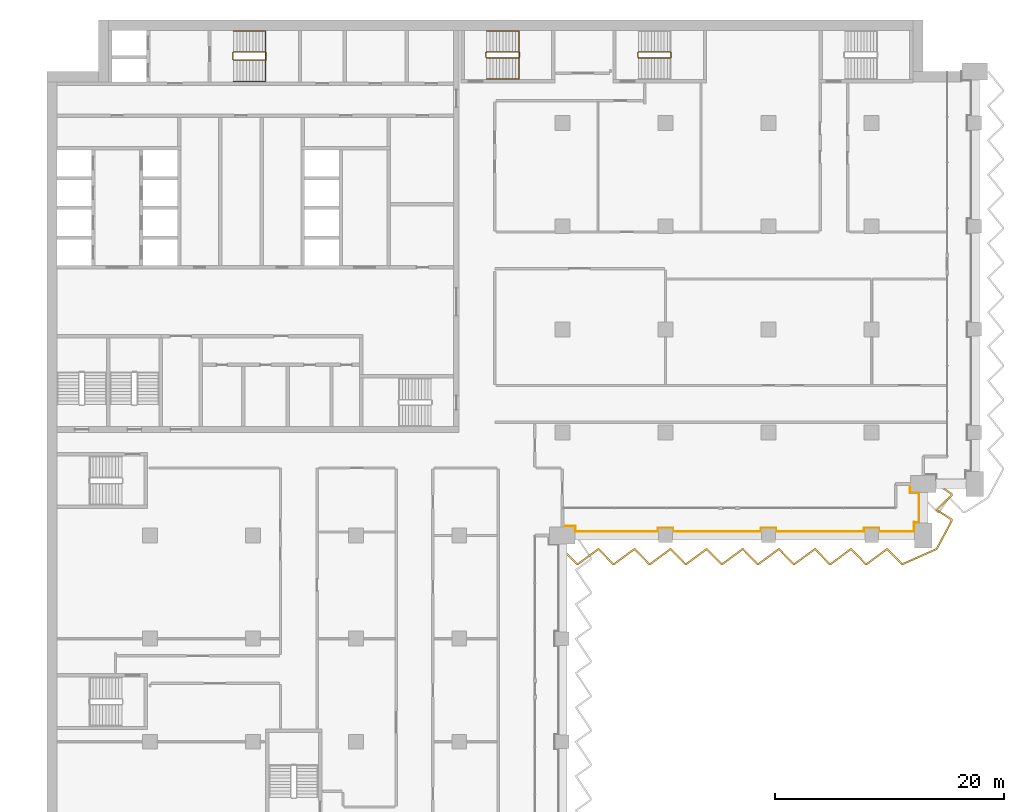
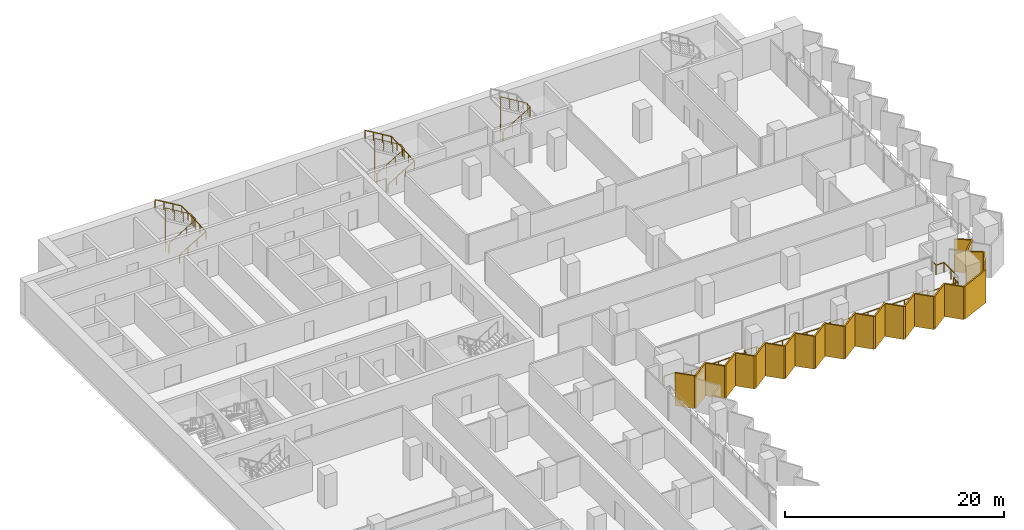
# One storey, part 22 of 23: 6 railings, 1 shading device.
"""IFC4 building model written with IfcOpenShell, lengths in metres."""

from ifc_helpers import new_model, si_unit, direction, frame, origin, origin_2d, place, context, subcontext, project, spatial, polyline, circle, outline, extrude, material, layer, layer_set, type_object, element, save


model = new_model("IFC4")

# Units and contexts
model_context = context("Model", 3, precision=1e-05, world=origin(), true_north=direction((0.0, 1.0)))
body_context = subcontext(model_context, "Body", "Model", "MODEL_VIEW")
ifc_project = project(units=[si_unit("LENGTHUNIT", "METRE"), si_unit("AREAUNIT", "SQUARE_METRE"), si_unit("VOLUMEUNIT", "CUBIC_METRE"), si_unit("PLANEANGLEUNIT", "RADIAN"), si_unit("MASSUNIT", "GRAM", prefix="KILO")], contexts=[model_context])

# Site, building, storey
site_placement = place(None, origin())
site = spatial("IfcSite", under=ifc_project, at=site_placement, CompositionType="ELEMENT")
building_placement = place(site_placement, origin())
building = spatial("IfcBuilding", under=site, at=building_placement, Name="Hunhe Ridgeline Campus", CompositionType="ELEMENT")
storey_placement = place(building_placement, frame((0.0, 0.0, 121.800048828125)))
storey = spatial("IfcBuildingStorey", under=building, at=storey_placement, Name="L30", CompositionType="ELEMENT", Elevation=121.800048828125)

# Railing
ifc_material_1 = material(Name="Steel Q355", Category="steel")
railing_type_1 = type_object("IfcRailingType", Name="Loggia guard 1100 Steel Q355", PredefinedType="GUARDRAIL", material=ifc_material_1)
railing_1_placement = place(storey_placement, frame((45.0, 54.820068359375, 0.0)))
element("IfcRailing", 1, at=railing_1_placement, inside=storey, type_object=railing_type_1, Name="Loggia guard 2", PredefinedType="GUARDRAIL", context=body_context, shape_type="SweptSolid", body=[
    extrude(circle(Radius=0.02392578125, at=origin_2d()), frame((0.0, 0.0, 1.076171875), z_axis=(1.0, 0.0, 0.0), x_axis=(0.0, 1.0, 0.0)), (0.0, 0.0, 1.0), 1.14990234375),
    extrude(circle(Radius=0.02392578125, at=origin_2d()), frame((1.14990234375, 0.0, 1.076171875), z_axis=(0.0, -1.0, 0.0), x_axis=(1.0, 0.0, 0.0)), (0.0, 0.0, 1.0), 0.469970703125),
    extrude(circle(Radius=0.02392578125, at=origin_2d()), frame((1.14990234375, -0.469970703125, 1.076171875), z_axis=(1.0, 0.0, 0.0), x_axis=(0.0, 1.0, 0.0)), (0.0, 0.0, 1.0), 7.2001953125),
    extrude(circle(Radius=0.02392578125, at=origin_2d()), frame((8.35009765625, -0.469970703125, 1.076171875), z_axis=(0.0, 1.0, 0.0), x_axis=(-1.0, 0.0, 0.0)), (0.0, 0.0, 1.0), 0.31982421875),
    extrude(circle(Radius=0.02392578125, at=origin_2d()), frame((8.35009765625, -0.150146484375, 1.076171875), z_axis=(1.0, 0.0, 0.0), x_axis=(0.0, 1.0, 0.0)), (0.0, 0.0, 1.0), 1.2998046875),
    extrude(circle(Radius=0.02392578125, at=origin_2d()), frame((9.64990234375, -0.150146484375, 1.076171875), z_axis=(0.0, -1.0, 0.0), x_axis=(1.0, 0.0, 0.0)), (0.0, 0.0, 1.0), 0.31982421875),
    extrude(circle(Radius=0.02392578125, at=origin_2d()), frame((9.64990234375, -0.469970703125, 1.076171875), z_axis=(1.0, 0.0, 0.0), x_axis=(0.0, 1.0, 0.0)), (0.0, 0.0, 1.0), 7.7001953125),
    extrude(circle(Radius=0.02392578125, at=origin_2d()), frame((17.35009765625, -0.469970703125, 1.076171875), z_axis=(0.0, 1.0, 0.0), x_axis=(-1.0, 0.0, 0.0)), (0.0, 0.0, 1.0), 0.31982421875),
    extrude(circle(Radius=0.02392578125, at=origin_2d()), frame((17.35009765625, -0.150146484375, 1.076171875), z_axis=(1.0, 0.0, 0.0), x_axis=(0.0, 1.0, 0.0)), (0.0, 0.0, 1.0), 1.2998046875),
    extrude(circle(Radius=0.02392578125, at=origin_2d()), frame((18.64990234375, -0.150146484375, 1.076171875), z_axis=(0.0, -1.0, 0.0), x_axis=(1.0, 0.0, 0.0)), (0.0, 0.0, 1.0), 0.31982421875),
    extrude(circle(Radius=0.02392578125, at=origin_2d()), frame((18.64990234375, -0.469970703125, 1.076171875), z_axis=(1.0, 0.0, 0.0), x_axis=(0.0, 1.0, 0.0)), (0.0, 0.0, 1.0), 7.7001953125),
    extrude(circle(Radius=0.02392578125, at=origin_2d()), frame((26.35009765625, -0.469970703125, 1.076171875), z_axis=(0.0, 1.0, 0.0), x_axis=(-1.0, 0.0, 0.0)), (0.0, 0.0, 1.0), 0.31982421875),
    extrude(circle(Radius=0.02392578125, at=origin_2d()), frame((26.35009765625, -0.150146484375, 1.076171875), z_axis=(1.0, 0.0, 0.0), x_axis=(0.0, 1.0, 0.0)), (0.0, 0.0, 1.0), 1.2998046875),
    extrude(circle(Radius=0.02392578125, at=origin_2d()), frame((27.64990234375, -0.150146484375, 1.076171875), z_axis=(0.0, -1.0, 0.0), x_axis=(1.0, 0.0, 0.0)), (0.0, 0.0, 1.0), 0.31982421875),
    extrude(circle(Radius=0.02392578125, at=origin_2d()), frame((27.64990234375, -0.469970703125, 1.076171875), z_axis=(1.0, 0.0, 0.0), x_axis=(0.0, 1.0, 0.0)), (0.0, 0.0, 1.0), 3.050048828125),
    extrude(circle(Radius=0.02392578125, at=origin_2d()), frame((30.699951171875, -0.469970703125, 1.076171875), z_axis=(0.0, 1.0, 0.0), x_axis=(-1.0, 0.0, 0.0)), (0.0, 0.0, 1.0), 0.81982421875),
    extrude(circle(Radius=0.02392578125, at=origin_2d()), frame((30.699951171875, 0.349853515625, 1.076171875), z_axis=(-0.057129153726, -0.99836679622, 0.0), x_axis=(0.99836679622, -0.057129153726, 0.0)), (0.0, 0.0, 1.0), 0.350341796875),
    extrude(circle(Radius=0.02392578125, at=origin_2d()), frame((30.679931640625, 0.0, 1.076171875), z_axis=(0.0, 1.0, 0.0), x_axis=(-1.0, 0.0, 0.0)), (0.0, 0.0, 1.0), 0.329833984375),
    extrude(circle(Radius=0.02392578125, at=origin_2d()), frame((30.679931640625, 0.329833984375, 1.076171875), z_axis=(1.0, 0.0, 0.0), x_axis=(0.0, 1.0, 0.0)), (0.0, 0.0, 1.0), 0.469970703125),
    extrude(circle(Radius=0.02392578125, at=origin_2d()), frame((31.14990234375, 0.329833984375, 1.076171875), z_axis=(0.0, 1.0, 0.0), x_axis=(-1.0, 0.0, 0.0)), (0.0, 0.0, 1.0), 2.550048828125),
    extrude(circle(Radius=0.02392578125, at=origin_2d()), frame((31.14990234375, 2.8798828125, 1.076171875), z_axis=(-1.0, 0.0, 0.0), x_axis=(0.0, -1.0, 0.0)), (0.0, 0.0, 1.0), 0.81982421875),
    extrude(circle(Radius=0.02392578125, at=origin_2d()), frame((30.330078125, 2.8798828125, 1.076171875), z_axis=(0.0, 1.0, 0.0), x_axis=(-1.0, 0.0, 0.0)), (0.0, 0.0, 1.0), 0.800048828125),
    extrude(circle(Radius=0.02099609375, at=origin_2d()), origin(), (0.0, 0.0, 1.0), 1.052001953125),
    extrude(circle(Radius=0.02099609375, at=origin_2d()), frame((1.14990234375, 0.0, 0.0)), (0.0, 0.0, 1.0), 1.052001953125),
    extrude(circle(Radius=0.02099609375, at=origin_2d()), frame((1.14990234375, -0.469970703125, 0.0)), (0.0, 0.0, 1.0), 1.052001953125),
    extrude(circle(Radius=0.02099609375, at=origin_2d()), frame((2.58984375, -0.469970703125, 0.0)), (0.0, 0.0, 1.0), 1.052001953125),
    extrude(circle(Radius=0.02099609375, at=origin_2d()), frame((4.030029296875, -0.469970703125, 0.0)), (0.0, 0.0, 1.0), 1.052001953125),
    extrude(circle(Radius=0.02099609375, at=origin_2d()), frame((5.469970703125, -0.469970703125, 0.0)), (0.0, 0.0, 1.0), 1.052001953125),
    extrude(circle(Radius=0.02099609375, at=origin_2d()), frame((6.91015625, -0.469970703125, 0.0)), (0.0, 0.0, 1.0), 1.052001953125),
    extrude(circle(Radius=0.02099609375, at=origin_2d()), frame((8.35009765625, -0.469970703125, 0.0)), (0.0, 0.0, 1.0), 1.052001953125),
    extrude(circle(Radius=0.02099609375, at=origin_2d()), frame((8.35009765625, -0.150146484375, 0.0)), (0.0, 0.0, 1.0), 1.052001953125),
    extrude(circle(Radius=0.02099609375, at=origin_2d()), frame((9.64990234375, -0.150146484375, 0.0)), (0.0, 0.0, 1.0), 1.052001953125),
    extrude(circle(Radius=0.02099609375, at=origin_2d()), frame((9.64990234375, -0.469970703125, 0.0)), (0.0, 0.0, 1.0), 1.052001953125),
    extrude(circle(Radius=0.02099609375, at=origin_2d()), frame((10.933349609375, -0.469970703125, 0.0)), (0.0, 0.0, 1.0), 1.052001953125),
    extrude(circle(Radius=0.02099609375, at=origin_2d()), frame((12.216552734375, -0.469970703125, 0.0)), (0.0, 0.0, 1.0), 1.052001953125),
    extrude(circle(Radius=0.02099609375, at=origin_2d()), frame((13.5, -0.469970703125, 0.0)), (0.0, 0.0, 1.0), 1.052001953125),
    extrude(circle(Radius=0.02099609375, at=origin_2d()), frame((14.783447265625, -0.469970703125, 0.0)), (0.0, 0.0, 1.0), 1.052001953125),
    extrude(circle(Radius=0.02099609375, at=origin_2d()), frame((16.066650390625, -0.469970703125, 0.0)), (0.0, 0.0, 1.0), 1.052001953125),
    extrude(circle(Radius=0.02099609375, at=origin_2d()), frame((17.35009765625, -0.469970703125, 0.0)), (0.0, 0.0, 1.0), 1.052001953125),
    extrude(circle(Radius=0.02099609375, at=origin_2d()), frame((17.35009765625, -0.150146484375, 0.0)), (0.0, 0.0, 1.0), 1.052001953125),
    extrude(circle(Radius=0.02099609375, at=origin_2d()), frame((18.64990234375, -0.150146484375, 0.0)), (0.0, 0.0, 1.0), 1.052001953125),
    extrude(circle(Radius=0.02099609375, at=origin_2d()), frame((18.64990234375, -0.469970703125, 0.0)), (0.0, 0.0, 1.0), 1.052001953125),
    extrude(circle(Radius=0.02099609375, at=origin_2d()), frame((19.933349609375, -0.469970703125, 0.0)), (0.0, 0.0, 1.0), 1.052001953125),
    extrude(circle(Radius=0.02099609375, at=origin_2d()), frame((21.216552734375, -0.469970703125, 0.0)), (0.0, 0.0, 1.0), 1.052001953125),
    extrude(circle(Radius=0.02099609375, at=origin_2d()), frame((22.5, -0.469970703125, 0.0)), (0.0, 0.0, 1.0), 1.052001953125),
    extrude(circle(Radius=0.02099609375, at=origin_2d()), frame((23.783447265625, -0.469970703125, 0.0)), (0.0, 0.0, 1.0), 1.052001953125),
    extrude(circle(Radius=0.02099609375, at=origin_2d()), frame((25.066650390625, -0.469970703125, 0.0)), (0.0, 0.0, 1.0), 1.052001953125),
    extrude(circle(Radius=0.02099609375, at=origin_2d()), frame((26.35009765625, -0.469970703125, 0.0)), (0.0, 0.0, 1.0), 1.052001953125),
    extrude(circle(Radius=0.02099609375, at=origin_2d()), frame((26.35009765625, -0.150146484375, 0.0)), (0.0, 0.0, 1.0), 1.052001953125),
    extrude(circle(Radius=0.02099609375, at=origin_2d()), frame((27.64990234375, -0.150146484375, 0.0)), (0.0, 0.0, 1.0), 1.052001953125),
    extrude(circle(Radius=0.02099609375, at=origin_2d()), frame((27.64990234375, -0.469970703125, 0.0)), (0.0, 0.0, 1.0), 1.052001953125),
    extrude(circle(Radius=0.02099609375, at=origin_2d()), frame((28.66650390625, -0.469970703125, 0.0)), (0.0, 0.0, 1.0), 1.052001953125),
    extrude(circle(Radius=0.02099609375, at=origin_2d()), frame((29.683349609375, -0.469970703125, 0.0)), (0.0, 0.0, 1.0), 1.052001953125),
    extrude(circle(Radius=0.02099609375, at=origin_2d()), frame((30.699951171875, -0.469970703125, 0.0)), (0.0, 0.0, 1.0), 1.052001953125),
    extrude(circle(Radius=0.02099609375, at=origin_2d()), frame((30.699951171875, 0.349853515625, 0.0)), (0.0, 0.0, 1.0), 1.052001953125),
    extrude(circle(Radius=0.02099609375, at=origin_2d()), frame((30.679931640625, 0.0, 0.0)), (0.0, 0.0, 1.0), 1.052001953125),
    extrude(circle(Radius=0.02099609375, at=origin_2d()), frame((30.679931640625, 0.329833984375, 0.0)), (0.0, 0.0, 1.0), 1.052001953125),
    extrude(circle(Radius=0.02099609375, at=origin_2d()), frame((31.14990234375, 0.329833984375, 0.0)), (0.0, 0.0, 1.0), 1.052001953125),
    extrude(circle(Radius=0.02099609375, at=origin_2d()), frame((31.14990234375, 1.60498046875, 0.0)), (0.0, 0.0, 1.0), 1.052001953125),
    extrude(circle(Radius=0.02099609375, at=origin_2d()), frame((31.14990234375, 2.8798828125, 0.0)), (0.0, 0.0, 1.0), 1.052001953125),
    extrude(circle(Radius=0.02099609375, at=origin_2d()), frame((30.330078125, 2.8798828125, 0.0)), (0.0, 0.0, 1.0), 1.052001953125),
    extrude(circle(Radius=0.02099609375, at=origin_2d()), frame((30.330078125, 3.679931640625, 0.0)), (0.0, 0.0, 1.0), 1.052001953125),
])

# Shading device
ifc_material_2 = material(Name="Concrete C50", Category="concrete")
ifc_layer = layer(ifc_material_2, 0.14990234375)
ifc_layer_set = layer_set([ifc_layer], Name="Sawtooth concrete fin 150 Concrete C50")
shading_device_type = type_object("IfcShadingDeviceType", Name="Sawtooth concrete fin 150 Concrete C50", PredefinedType="USERDEFINED", material=ifc_layer_set)
shading_device_placement = place(storey_placement, frame((0.0, 0.0, -0.949951171875)))
element("IfcShadingDevice", 2, at=shading_device_placement, inside=storey, type_object=shading_device_type, Name="Concrete fin screen 2", ObjectType="FIN", PredefinedType="USERDEFINED", context=body_context, shape_type="SweptSolid", body=[
    extrude(outline(polyline([(45.0537109375, 52.87744140625), (44.9462890625, 52.772705078125), (46.23583984375, 51.449951171875), (46.412109375, 51.449951171875), (48.141845703125, 52.725830078125), (49.385986328125, 51.449951171875), (49.562255859375, 51.449951171875), (51.2919921875, 52.725830078125), (52.535888671875, 51.449951171875), (52.712158203125, 51.449951171875), (54.44189453125, 52.725830078125), (55.685791015625, 51.449951171875), (55.862060546875, 51.449951171875), (57.592041015625, 52.725830078125), (58.8359375, 51.449951171875), (59.01220703125, 51.449951171875), (60.741943359375, 52.725830078125), (61.98583984375, 51.449951171875), (62.162109375, 51.449951171875), (63.891845703125, 52.725830078125), (65.135986328125, 51.449951171875), (65.312255859375, 51.449951171875), (67.0419921875, 52.725830078125), (68.285888671875, 51.449951171875), (68.462158203125, 51.449951171875), (70.19189453125, 52.725830078125), (71.435791015625, 51.449951171875), (71.612060546875, 51.449951171875), (73.342041015625, 52.725830078125), (74.5859375, 51.449951171875), (74.75341796875, 51.449951171875), (77.72900390625, 52.766845703125), (79.050048828125, 55.248779296875), (79.050048828125, 55.427734375), (77.7939453125, 56.26123046875), (79.050048828125, 57.48583984375), (79.050048828125, 57.677734375), (77.716552734375, 58.5625), (77.633544921875, 58.4375), (78.89990234375, 57.59716796875), (78.89990234375, 57.549072265625), (77.55615234375, 56.23876953125), (78.89990234375, 55.34716796875), (78.89990234375, 55.2861328125), (77.620849609375, 52.883056640625), (74.7216796875, 51.60009765625), (74.649169921875, 51.60009765625), (73.358154296875, 52.924072265625), (71.562744140625, 51.60009765625), (71.4990234375, 51.60009765625), (70.2080078125, 52.924072265625), (68.412841796875, 51.60009765625), (68.34912109375, 51.60009765625), (67.05810546875, 52.924072265625), (65.262939453125, 51.60009765625), (65.19921875, 51.60009765625), (63.907958984375, 52.924072265625), (62.11279296875, 51.60009765625), (62.049072265625, 51.60009765625), (60.758056640625, 52.924072265625), (58.962890625, 51.60009765625), (58.899169921875, 51.60009765625), (57.608154296875, 52.924072265625), (55.812744140625, 51.60009765625), (55.7490234375, 51.60009765625), (54.4580078125, 52.924072265625), (52.662841796875, 51.60009765625), (52.59912109375, 51.60009765625), (51.30810546875, 52.924072265625), (49.512939453125, 51.60009765625), (49.44921875, 51.60009765625), (48.157958984375, 52.924072265625), (46.36279296875, 51.60009765625), (46.299072265625, 51.60009765625), (45.0537109375, 52.87744140625)])), origin(), (0.0, 0.0, 1.0), 3.64990234375),
])

# Railings
ifc_material_3 = material(Name="Stainless steel balustrade", Category="steel")
railing_type_2 = type_object("IfcRailingType", Name="Stair guard 1100 stainless", PredefinedType="GUARDRAIL", material=ifc_material_3)
railing_2_placement = place(storey_placement, frame((16.300048828125, 95.5, 0.168212890625)))
element("IfcRailing", 3, at=railing_2_placement, inside=storey, type_object=railing_type_2, Name="L30 stair S1 guard", PredefinedType="GUARDRAIL", context=body_context, shape_type="SweptSolid", body=[
    extrude(circle(Radius=0.02392578125, at=origin_2d()), frame((0.0, 0.0, 1.076171875), z_axis=(0.857275202839, 0.0, 0.514858452973), x_axis=(0.0, 1.0, 0.0)), (0.0, 0.0, 1.0), 3.26611328125),
    extrude(circle(Radius=0.02392578125, at=origin_2d()), frame((2.800048828125, 0.0, 2.7578125), z_axis=(0.705375805398, 0.708833529934, 0.0), x_axis=(-0.708833529934, 0.705375805398, 0.0)), (0.0, 0.0, 1.0), 0.070556640625),
    extrude(circle(Radius=0.02392578125, at=origin_2d()), frame((2.849853515625, 0.050048828125, 2.7578125), z_axis=(0.0, 1.0, 0.0), x_axis=(-1.0, 0.0, 0.0)), (0.0, 0.0, 1.0), 0.599853515625),
    extrude(circle(Radius=0.02392578125, at=origin_2d()), frame((2.849853515625, 0.64990234375, 2.7578125), z_axis=(-0.273006030465, 0.27434429532, 0.922064485248), x_axis=(-0.708833529934, -0.705375805398, 0.0)), (0.0, 0.0, 1.0), 0.182373046875),
    extrude(circle(Radius=0.02392578125, at=origin_2d()), frame((2.800048828125, 0.699951171875, 2.92578125), z_axis=(-0.857242210791, 0.0, 0.514913383045), x_axis=(0.0, -1.0, 0.0)), (0.0, 0.0, 1.0), 3.266357421875),
    extrude(circle(Radius=0.02392578125, at=origin_2d()), frame((0.0, 0.699951171875, 4.60791015625), z_axis=(-0.013524414389, -0.013524414389, -0.999817073484), x_axis=(0.707106781187, -0.707106781187, 0.0)), (0.0, 0.0, 1.0), 3.70068359375),
    extrude(circle(Radius=0.02392578125, at=origin_2d()), frame((-0.050048828125, 0.64990234375, 0.90771484375), z_axis=(0.0, -1.0, 0.0), x_axis=(1.0, 0.0, 0.0)), (0.0, 0.0, 1.0), 0.599853515625),
    extrude(circle(Radius=0.02099609375, at=origin_2d()), origin(), (0.0, 0.0, 1.0), 1.052001953125),
    extrude(circle(Radius=0.02099609375, at=origin_2d()), frame((0.933349609375, 0.0, 0.560546875)), (0.0, 0.0, 1.0), 1.052001953125),
    extrude(circle(Radius=0.02099609375, at=origin_2d()), frame((1.86669921875, 0.0, 1.12109375)), (0.0, 0.0, 1.0), 1.052001953125),
    extrude(circle(Radius=0.02099609375, at=origin_2d()), frame((2.800048828125, 0.0, 1.681640625)), (0.0, 0.0, 1.0), 1.052001953125),
    extrude(circle(Radius=0.02099609375, at=origin_2d()), frame((2.849853515625, 0.050048828125, 1.681640625)), (0.0, 0.0, 1.0), 1.052001953125),
    extrude(circle(Radius=0.02099609375, at=origin_2d()), frame((2.849853515625, 0.64990234375, 1.681640625)), (0.0, 0.0, 1.0), 1.052001953125),
    extrude(circle(Radius=0.02099609375, at=origin_2d()), frame((2.800048828125, 0.699951171875, 1.849853515625)), (0.0, 0.0, 1.0), 1.052001953125),
    extrude(circle(Radius=0.02099609375, at=origin_2d()), frame((1.86669921875, 0.699951171875, 2.410400390625)), (0.0, 0.0, 1.0), 1.052001953125),
    extrude(circle(Radius=0.02099609375, at=origin_2d()), frame((0.933349609375, 0.699951171875, 2.97119140625)), (0.0, 0.0, 1.0), 1.052001953125),
    extrude(circle(Radius=0.02099609375, at=origin_2d()), frame((0.0, 0.699951171875, 3.53173828125)), (0.0, 0.0, 1.0), 1.052001953125),
    extrude(circle(Radius=0.02099609375, at=origin_2d()), frame((-0.012451171875, 0.6875, 2.606689453125)), (0.0, 0.0, 1.0), 1.052001953125),
    extrude(circle(Radius=0.02099609375, at=origin_2d()), frame((-0.02490234375, 0.6748046875, 1.681640625)), (0.0, 0.0, 1.0), 1.052001953125),
    extrude(circle(Radius=0.02099609375, at=origin_2d()), frame((-0.03759765625, 0.662353515625, 0.7568359375)), (0.0, 0.0, 1.0), 1.052001953125),
    extrude(circle(Radius=0.02099609375, at=origin_2d()), frame((-0.050048828125, 0.64990234375, -0.168212890625)), (0.0, 0.0, 1.0), 1.052001953125),
    extrude(circle(Radius=0.02099609375, at=origin_2d()), frame((-0.050048828125, 0.050048828125, -0.168212890625)), (0.0, 0.0, 1.0), 1.052001953125),
])
railing_3_placement = place(storey_placement, frame((38.39990234375, 95.699951171875, 0.168212890625)))
element("IfcRailing", 4, at=railing_3_placement, inside=storey, type_object=railing_type_2, Name="L30 stair E1 guard", PredefinedType="GUARDRAIL", context=body_context, shape_type="SweptSolid", body=[
    extrude(circle(Radius=0.02392578125, at=origin_2d()), frame((0.0, 0.0, 1.076171875), z_axis=(0.857275202839, 0.0, 0.514858452973), x_axis=(0.0, 1.0, 0.0)), (0.0, 0.0, 1.0), 3.26611328125),
    extrude(circle(Radius=0.02392578125, at=origin_2d()), frame((2.800048828125, 0.0, 2.7578125), z_axis=(0.707106781187, 0.707106781187, 0.0), x_axis=(-0.707106781187, 0.707106781187, 0.0)), (0.0, 0.0, 1.0), 0.07080078125),
    extrude(circle(Radius=0.02392578125, at=origin_2d()), frame((2.85009765625, 0.050048828125, 2.7578125), z_axis=(0.0, 1.0, 0.0), x_axis=(-1.0, 0.0, 0.0)), (0.0, 0.0, 1.0), 0.39990234375),
    extrude(circle(Radius=0.02392578125, at=origin_2d()), frame((2.85009765625, 0.449951171875, 2.7578125), z_axis=(-0.274243871929, 0.274243871929, 0.92172696468), x_axis=(-0.707106781187, -0.707106781187, 0.0)), (0.0, 0.0, 1.0), 0.1826171875),
    extrude(circle(Radius=0.02392578125, at=origin_2d()), frame((2.800048828125, 0.5, 2.92578125), z_axis=(-0.857242210791, 0.0, 0.514913383045), x_axis=(0.0, -1.0, 0.0)), (0.0, 0.0, 1.0), 3.266357421875),
    extrude(circle(Radius=0.02392578125, at=origin_2d()), frame((0.0, 0.5, 4.60791015625), z_axis=(-0.013458453615, -0.013524426427, -0.999817963389), x_axis=(0.708833529934, -0.705375805398, 0.0)), (0.0, 0.0, 1.0), 3.70068359375),
    extrude(circle(Radius=0.02392578125, at=origin_2d()), frame((-0.0498046875, 0.449951171875, 0.90771484375), z_axis=(0.0, -1.0, 0.0), x_axis=(1.0, 0.0, 0.0)), (0.0, 0.0, 1.0), 0.39990234375),
    extrude(circle(Radius=0.02099609375, at=origin_2d()), origin(), (0.0, 0.0, 1.0), 1.052001953125),
    extrude(circle(Radius=0.02099609375, at=origin_2d()), frame((0.933349609375, 0.0, 0.560546875)), (0.0, 0.0, 1.0), 1.052001953125),
    extrude(circle(Radius=0.02099609375, at=origin_2d()), frame((1.86669921875, 0.0, 1.12109375)), (0.0, 0.0, 1.0), 1.052001953125),
    extrude(circle(Radius=0.02099609375, at=origin_2d()), frame((2.800048828125, 0.0, 1.681640625)), (0.0, 0.0, 1.0), 1.052001953125),
    extrude(circle(Radius=0.02099609375, at=origin_2d()), frame((2.85009765625, 0.050048828125, 1.681640625)), (0.0, 0.0, 1.0), 1.052001953125),
    extrude(circle(Radius=0.02099609375, at=origin_2d()), frame((2.85009765625, 0.449951171875, 1.681640625)), (0.0, 0.0, 1.0), 1.052001953125),
    extrude(circle(Radius=0.02099609375, at=origin_2d()), frame((2.800048828125, 0.5, 1.849853515625)), (0.0, 0.0, 1.0), 1.052001953125),
    extrude(circle(Radius=0.02099609375, at=origin_2d()), frame((1.86669921875, 0.5, 2.410400390625)), (0.0, 0.0, 1.0), 1.052001953125),
    extrude(circle(Radius=0.02099609375, at=origin_2d()), frame((0.933349609375, 0.5, 2.97119140625)), (0.0, 0.0, 1.0), 1.052001953125),
    extrude(circle(Radius=0.02099609375, at=origin_2d()), frame((0.0, 0.5, 3.53173828125)), (0.0, 0.0, 1.0), 1.052001953125),
    extrude(circle(Radius=0.02099609375, at=origin_2d()), frame((-0.012451171875, 0.487548828125, 2.606689453125)), (0.0, 0.0, 1.0), 1.052001953125),
    extrude(circle(Radius=0.02099609375, at=origin_2d()), frame((-0.02490234375, 0.47509765625, 1.681640625)), (0.0, 0.0, 1.0), 1.052001953125),
    extrude(circle(Radius=0.02099609375, at=origin_2d()), frame((-0.037353515625, 0.46240234375, 0.7568359375)), (0.0, 0.0, 1.0), 1.052001953125),
    extrude(circle(Radius=0.02099609375, at=origin_2d()), frame((-0.0498046875, 0.449951171875, -0.168212890625)), (0.0, 0.0, 1.0), 1.052001953125),
    extrude(circle(Radius=0.02099609375, at=origin_2d()), frame((-0.0498046875, 0.050048828125, -0.168212890625)), (0.0, 0.0, 1.0), 1.052001953125),
])
railing_4_placement = place(storey_placement, frame((51.64990234375, 95.699951171875, 0.168212890625)))
element("IfcRailing", 5, at=railing_4_placement, inside=storey, type_object=railing_type_2, Name="L30 stair E2 guard", PredefinedType="GUARDRAIL", context=body_context, shape_type="SweptSolid", body=[
    extrude(circle(Radius=0.02392578125, at=origin_2d()), frame((0.0, 0.0, 1.076171875), z_axis=(0.857275202839, 0.0, 0.514858452973), x_axis=(0.0, 1.0, 0.0)), (0.0, 0.0, 1.0), 3.26611328125),
    extrude(circle(Radius=0.02392578125, at=origin_2d()), frame((2.800048828125, 0.0, 2.7578125), z_axis=(0.707106781187, 0.707106781187, 0.0), x_axis=(-0.707106781187, 0.707106781187, 0.0)), (0.0, 0.0, 1.0), 0.07080078125),
    extrude(circle(Radius=0.02392578125, at=origin_2d()), frame((2.85009765625, 0.050048828125, 2.7578125), z_axis=(0.0, 1.0, 0.0), x_axis=(-1.0, 0.0, 0.0)), (0.0, 0.0, 1.0), 0.39990234375),
    extrude(circle(Radius=0.02392578125, at=origin_2d()), frame((2.85009765625, 0.449951171875, 2.7578125), z_axis=(-0.274243871929, 0.274243871929, 0.92172696468), x_axis=(-0.707106781187, -0.707106781187, 0.0)), (0.0, 0.0, 1.0), 0.1826171875),
    extrude(circle(Radius=0.02392578125, at=origin_2d()), frame((2.800048828125, 0.5, 2.92578125), z_axis=(-0.857242210791, 0.0, 0.514913383045), x_axis=(0.0, -1.0, 0.0)), (0.0, 0.0, 1.0), 3.266357421875),
    extrude(circle(Radius=0.02392578125, at=origin_2d()), frame((0.0, 0.5, 4.60791015625), z_axis=(-0.013458453615, -0.013524426427, -0.999817963389), x_axis=(0.708833529934, -0.705375805398, 0.0)), (0.0, 0.0, 1.0), 3.70068359375),
    extrude(circle(Radius=0.02392578125, at=origin_2d()), frame((-0.0498046875, 0.449951171875, 0.90771484375), z_axis=(0.0, -1.0, 0.0), x_axis=(1.0, 0.0, 0.0)), (0.0, 0.0, 1.0), 0.39990234375),
    extrude(circle(Radius=0.02099609375, at=origin_2d()), origin(), (0.0, 0.0, 1.0), 1.052001953125),
    extrude(circle(Radius=0.02099609375, at=origin_2d()), frame((0.933349609375, 0.0, 0.560546875)), (0.0, 0.0, 1.0), 1.052001953125),
    extrude(circle(Radius=0.02099609375, at=origin_2d()), frame((1.86669921875, 0.0, 1.12109375)), (0.0, 0.0, 1.0), 1.052001953125),
    extrude(circle(Radius=0.02099609375, at=origin_2d()), frame((2.800048828125, 0.0, 1.681640625)), (0.0, 0.0, 1.0), 1.052001953125),
    extrude(circle(Radius=0.02099609375, at=origin_2d()), frame((2.85009765625, 0.050048828125, 1.681640625)), (0.0, 0.0, 1.0), 1.052001953125),
    extrude(circle(Radius=0.02099609375, at=origin_2d()), frame((2.85009765625, 0.449951171875, 1.681640625)), (0.0, 0.0, 1.0), 1.052001953125),
    extrude(circle(Radius=0.02099609375, at=origin_2d()), frame((2.800048828125, 0.5, 1.849853515625)), (0.0, 0.0, 1.0), 1.052001953125),
    extrude(circle(Radius=0.02099609375, at=origin_2d()), frame((1.86669921875, 0.5, 2.410400390625)), (0.0, 0.0, 1.0), 1.052001953125),
    extrude(circle(Radius=0.02099609375, at=origin_2d()), frame((0.933349609375, 0.5, 2.97119140625)), (0.0, 0.0, 1.0), 1.052001953125),
    extrude(circle(Radius=0.02099609375, at=origin_2d()), frame((0.0, 0.5, 3.53173828125)), (0.0, 0.0, 1.0), 1.052001953125),
    extrude(circle(Radius=0.02099609375, at=origin_2d()), frame((-0.012451171875, 0.487548828125, 2.606689453125)), (0.0, 0.0, 1.0), 1.052001953125),
    extrude(circle(Radius=0.02099609375, at=origin_2d()), frame((-0.02490234375, 0.47509765625, 1.681640625)), (0.0, 0.0, 1.0), 1.052001953125),
    extrude(circle(Radius=0.02099609375, at=origin_2d()), frame((-0.037353515625, 0.46240234375, 0.7568359375)), (0.0, 0.0, 1.0), 1.052001953125),
    extrude(circle(Radius=0.02099609375, at=origin_2d()), frame((-0.0498046875, 0.449951171875, -0.168212890625)), (0.0, 0.0, 1.0), 1.052001953125),
    extrude(circle(Radius=0.02099609375, at=origin_2d()), frame((-0.0498046875, 0.050048828125, -0.168212890625)), (0.0, 0.0, 1.0), 1.052001953125),
])
ifc_material_4 = material(Name="Stainless steel handrail", Category="steel")
railing_type_3 = type_object("IfcRailingType", Name="Stair handrail 900 stainless", PredefinedType="HANDRAIL", material=ifc_material_4)
railing_5_placement = place(storey_placement, frame((16.300048828125, 93.64990234375, 0.168212890625)))
element("IfcRailing", 6, at=railing_5_placement, inside=storey, type_object=railing_type_3, Name="L30 stair S1 handrail", PredefinedType="HANDRAIL", context=body_context, shape_type="SweptSolid", body=[
    extrude(circle(Radius=0.02392578125, at=origin_2d()), frame((0.0, 0.0, 0.8759765625), z_axis=(0.857275202839, 0.0, 0.514858452973), x_axis=(0.0, 1.0, 0.0)), (0.0, 0.0, 1.0), 3.26611328125),
    extrude(circle(Radius=0.02392578125, at=origin_2d()), frame((2.800048828125, 0.0, 2.5576171875), z_axis=(0.0, 0.999270074432, 0.038201025428), x_axis=(-1.0, 0.0, 0.0)), (0.0, 0.0, 1.0), 4.4033203125),
    extrude(circle(Radius=0.02392578125, at=origin_2d()), frame((2.800048828125, 4.400146484375, 2.7255859375), z_axis=(-0.857242210791, 0.0, 0.514913383045), x_axis=(0.0, -1.0, 0.0)), (0.0, 0.0, 1.0), 3.266357421875),
    extrude(circle(Radius=0.02099609375, at=origin_2d()), origin(), (0.0, 0.0, 1.0), 0.851806640625),
    extrude(circle(Radius=0.02099609375, at=origin_2d()), frame((0.933349609375, 0.0, 0.560546875)), (0.0, 0.0, 1.0), 0.851806640625),
    extrude(circle(Radius=0.02099609375, at=origin_2d()), frame((1.86669921875, 0.0, 1.12109375)), (0.0, 0.0, 1.0), 0.851806640625),
    extrude(circle(Radius=0.02099609375, at=origin_2d()), frame((2.800048828125, 0.0, 1.681640625)), (0.0, 0.0, 1.0), 0.851806640625),
    extrude(circle(Radius=0.02099609375, at=origin_2d()), frame((2.800048828125, 1.10009765625, 1.7236328125)), (0.0, 0.0, 1.0), 0.851806640625),
    extrude(circle(Radius=0.02099609375, at=origin_2d()), frame((2.800048828125, 2.2001953125, 1.765625)), (0.0, 0.0, 1.0), 0.851806640625),
    extrude(circle(Radius=0.02099609375, at=origin_2d()), frame((2.800048828125, 3.300048828125, 1.807861328125)), (0.0, 0.0, 1.0), 0.851806640625),
    extrude(circle(Radius=0.02099609375, at=origin_2d()), frame((2.800048828125, 4.400146484375, 1.849853515625)), (0.0, 0.0, 1.0), 0.851806640625),
    extrude(circle(Radius=0.02099609375, at=origin_2d()), frame((1.86669921875, 4.400146484375, 2.410400390625)), (0.0, 0.0, 1.0), 0.851806640625),
    extrude(circle(Radius=0.02099609375, at=origin_2d()), frame((0.933349609375, 4.400146484375, 2.97119140625)), (0.0, 0.0, 1.0), 0.851806640625),
    extrude(circle(Radius=0.02099609375, at=origin_2d()), frame((0.0, 4.400146484375, 3.53173828125)), (0.0, 0.0, 1.0), 0.851806640625),
])
railing_6_placement = place(storey_placement, frame((38.39990234375, 93.85009765625, 0.168212890625)))
element("IfcRailing", 7, at=railing_6_placement, inside=storey, type_object=railing_type_3, Name="L30 stair E1 handrail", PredefinedType="HANDRAIL", context=body_context, shape_type="SweptSolid", body=[
    extrude(circle(Radius=0.02392578125, at=origin_2d()), frame((0.0, 0.0, 0.8759765625), z_axis=(0.857275202839, 0.0, 0.514858452973), x_axis=(0.0, 1.0, 0.0)), (0.0, 0.0, 1.0), 3.26611328125),
    extrude(circle(Radius=0.02392578125, at=origin_2d()), frame((2.800048828125, 0.0, 2.5576171875), z_axis=(0.0, 0.999198916169, 0.040019069537), x_axis=(-1.0, 0.0, 0.0)), (0.0, 0.0, 1.0), 4.203369140625),
    extrude(circle(Radius=0.02392578125, at=origin_2d()), frame((2.800048828125, 4.199951171875, 2.7255859375), z_axis=(-0.857242210791, 0.0, 0.514913383045), x_axis=(0.0, -1.0, 0.0)), (0.0, 0.0, 1.0), 3.266357421875),
    extrude(circle(Radius=0.02099609375, at=origin_2d()), origin(), (0.0, 0.0, 1.0), 0.851806640625),
    extrude(circle(Radius=0.02099609375, at=origin_2d()), frame((0.933349609375, 0.0, 0.560546875)), (0.0, 0.0, 1.0), 0.851806640625),
    extrude(circle(Radius=0.02099609375, at=origin_2d()), frame((1.86669921875, 0.0, 1.12109375)), (0.0, 0.0, 1.0), 0.851806640625),
    extrude(circle(Radius=0.02099609375, at=origin_2d()), frame((2.800048828125, 0.0, 1.681640625)), (0.0, 0.0, 1.0), 0.851806640625),
    extrude(circle(Radius=0.02099609375, at=origin_2d()), frame((2.800048828125, 1.050048828125, 1.7236328125)), (0.0, 0.0, 1.0), 0.851806640625),
    extrude(circle(Radius=0.02099609375, at=origin_2d()), frame((2.800048828125, 2.10009765625, 1.765625)), (0.0, 0.0, 1.0), 0.851806640625),
    extrude(circle(Radius=0.02099609375, at=origin_2d()), frame((2.800048828125, 3.14990234375, 1.807861328125)), (0.0, 0.0, 1.0), 0.851806640625),
    extrude(circle(Radius=0.02099609375, at=origin_2d()), frame((2.800048828125, 4.199951171875, 1.849853515625)), (0.0, 0.0, 1.0), 0.851806640625),
    extrude(circle(Radius=0.02099609375, at=origin_2d()), frame((1.86669921875, 4.199951171875, 2.410400390625)), (0.0, 0.0, 1.0), 0.851806640625),
    extrude(circle(Radius=0.02099609375, at=origin_2d()), frame((0.933349609375, 4.199951171875, 2.97119140625)), (0.0, 0.0, 1.0), 0.851806640625),
    extrude(circle(Radius=0.02099609375, at=origin_2d()), frame((0.0, 4.199951171875, 3.53173828125)), (0.0, 0.0, 1.0), 0.851806640625),
])

save(model, "model.ifc")
